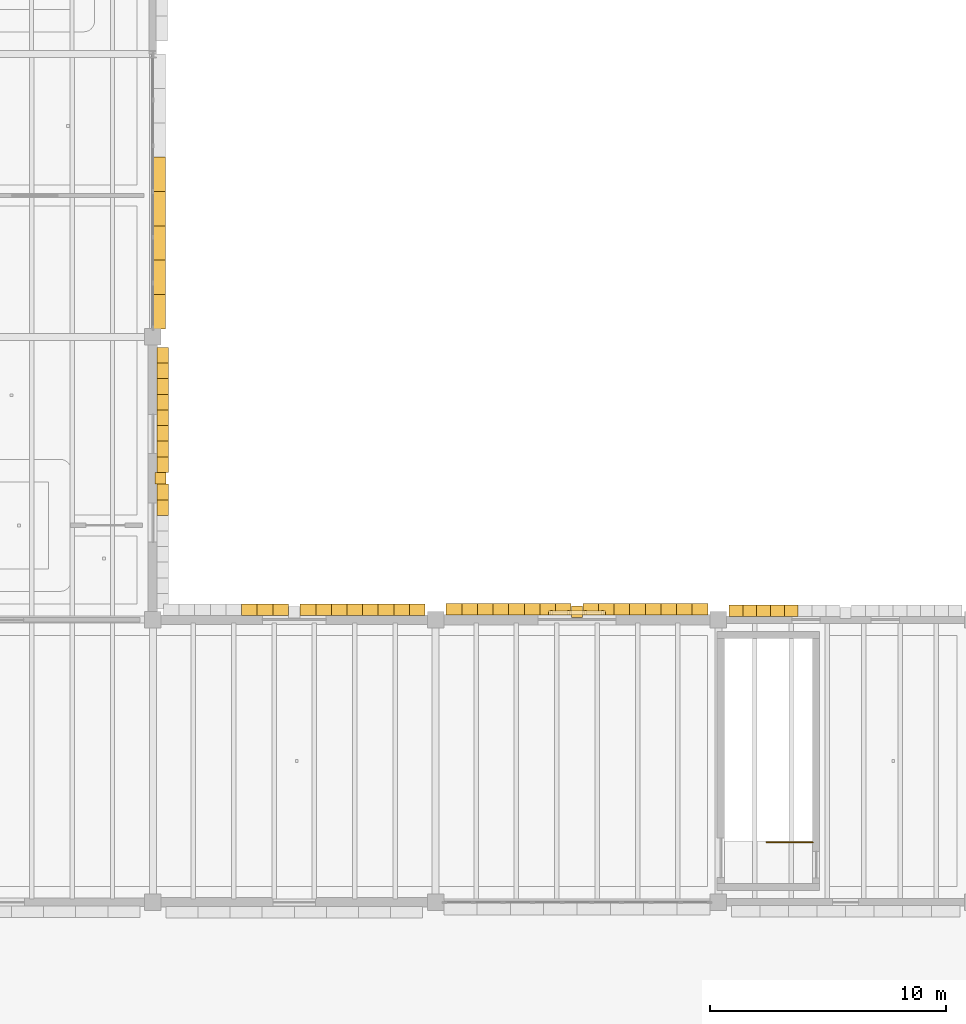
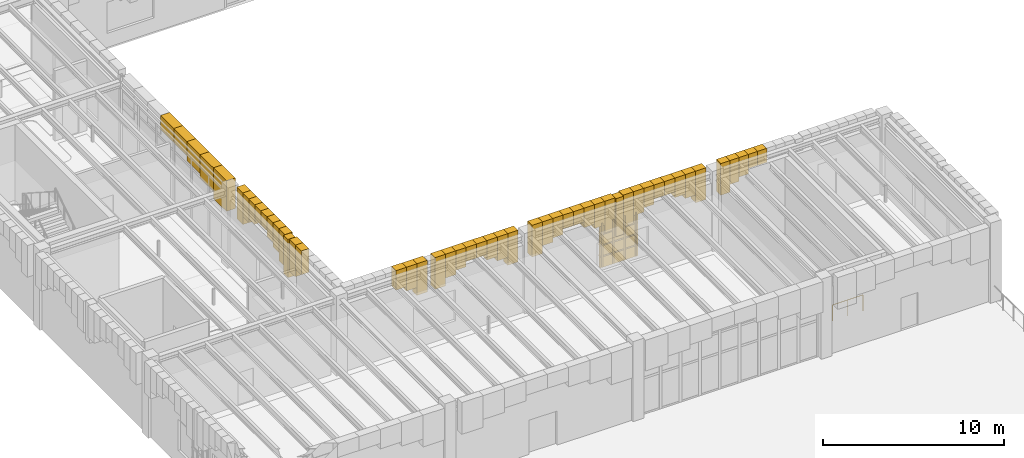
# One storey, part 91 of 100: 56 coverings, 1 railing, 1 shading device.
"""IFC4 building model written with IfcOpenShell, lengths in metres."""

from ifc_helpers import new_model, si_unit, direction, frame, origin, origin_2d, place, context, subcontext, project, spatial, polyline, rectangle, circle, outline, extrude, material, layer, layer_set, type_object, element, save


model = new_model("IFC4")

# Units and contexts
model_context = context("Model", 3, precision=1e-05, world=origin(), true_north=direction((0.0, 1.0)))
body_context = subcontext(model_context, "Body", "Model", "MODEL_VIEW")
ifc_project = project(units=[si_unit("LENGTHUNIT", "METRE"), si_unit("AREAUNIT", "SQUARE_METRE"), si_unit("VOLUMEUNIT", "CUBIC_METRE"), si_unit("PLANEANGLEUNIT", "RADIAN"), si_unit("MASSUNIT", "GRAM", prefix="KILO")], contexts=[model_context])

# Site, building, storey
site_placement = place(None, origin())
site = spatial("IfcSite", under=ifc_project, at=site_placement, CompositionType="ELEMENT")
building_placement = place(site_placement, origin())
building = spatial("IfcBuilding", under=site, at=building_placement, Name="Zlatogorsky Bluff Art Gallery", CompositionType="ELEMENT")
storey_placement = place(building_placement, frame((0.0, 0.0, 5.39990234375)))
storey = spatial("IfcBuildingStorey", under=building, at=storey_placement, Name="L01", CompositionType="ELEMENT", Elevation=5.39990234375)

# Coverings
ifc_material_1 = material(Name="Honed Red Agra-Tone Quartzitic Sandstone", Category="masonry")
ifc_layer = layer(ifc_material_1, 0.1201171875)
ifc_layer_set = layer_set([ifc_layer], Name="Carved Sandstone Cladding CLD-02")
covering_type = type_object("IfcCoveringType", Name="Carved Sandstone Cladding CLD-02", PredefinedType="CLADDING", material=ifc_layer_set)
covering_1_placement = place(storey_placement, frame((0.0, 0.0, 2.780029296875)))
element("IfcCovering", 1, at=covering_1_placement, inside=storey, type_object=covering_type, Name="Mughal blind-arch sandstone pilaster L01.E.10.5", PredefinedType="CLADDING", context=body_context, shape_type="SweptSolid", body=[
    extrude(outline(polyline([(132.080078125, 56.159912109375), (132.56005859375, 56.159912109375), (132.56005859375, 56.639892578125), (132.080078125, 56.639892578125), (132.080078125, 56.159912109375)])), origin(), (0.0, 0.0, 1.0), 2.580078125),
])
covering_2_placement = place(storey_placement, frame((0.0, 0.0, 3.75390625)))
element("IfcCovering", 2, at=covering_2_placement, inside=storey, type_object=covering_type, Name="Pointed Mughal arch voussoir spandrel WARCH-L01-E-10-05-A.7", PredefinedType="CLADDING", context=body_context, shape_type="SweptSolid", body=[
    extrude(outline(polyline([(132.169921875, 54.824951171875), (132.169921875, 55.487548828125), (132.659912109375, 55.487548828125), (132.659912109375, 54.824951171875), (132.169921875, 54.824951171875)])), origin(), (0.0, 0.0, 1.0), 1.606201171875),
])
covering_3_placement = place(storey_placement, frame((0.0, 0.0, 3.222412109375)))
element("IfcCovering", 3, at=covering_3_placement, inside=storey, type_object=covering_type, Name="Pointed Mughal arch voussoir spandrel WARCH-L01-E-10-05-A.8", PredefinedType="CLADDING", context=body_context, shape_type="SweptSolid", body=[
    extrude(outline(polyline([(132.169921875, 55.487548828125), (132.169921875, 56.14990234375), (132.659912109375, 56.14990234375), (132.659912109375, 55.487548828125), (132.169921875, 55.487548828125)])), origin(), (0.0, 0.0, 1.0), 2.1376953125),
])
covering_4_placement = place(storey_placement, frame((0.0, 0.0, 3.222412109375)))
element("IfcCovering", 4, at=covering_4_placement, inside=storey, type_object=covering_type, Name="Pointed Mughal arch voussoir spandrel WARCH-L01-E-10-05-B.1", PredefinedType="CLADDING", context=body_context, shape_type="SweptSolid", body=[
    extrude(outline(polyline([(132.169921875, 56.64990234375), (132.169921875, 57.3125), (132.659912109375, 57.3125), (132.659912109375, 56.64990234375), (132.169921875, 56.64990234375)])), origin(), (0.0, 0.0, 1.0), 2.1376953125),
])
covering_5_placement = place(storey_placement, frame((0.0, 0.0, 3.75390625)))
element("IfcCovering", 5, at=covering_5_placement, inside=storey, type_object=covering_type, Name="Pointed Mughal arch voussoir spandrel WARCH-L01-E-10-05-B.2", PredefinedType="CLADDING", context=body_context, shape_type="SweptSolid", body=[
    extrude(outline(polyline([(132.169921875, 57.3125), (132.169921875, 57.97509765625), (132.659912109375, 57.97509765625), (132.659912109375, 57.3125), (132.169921875, 57.3125)])), origin(), (0.0, 0.0, 1.0), 1.606201171875),
])
covering_6_placement = place(storey_placement, frame((0.0, 0.0, 4.046875)))
element("IfcCovering", 6, at=covering_6_placement, inside=storey, type_object=covering_type, Name="Pointed Mughal arch voussoir spandrel WARCH-L01-E-10-05-B.3", PredefinedType="CLADDING", context=body_context, shape_type="SweptSolid", body=[
    extrude(outline(polyline([(132.169921875, 57.97509765625), (132.169921875, 58.637451171875), (132.659912109375, 58.637451171875), (132.659912109375, 57.97509765625), (132.169921875, 57.97509765625)])), origin(), (0.0, 0.0, 1.0), 1.313232421875),
])
covering_7_placement = place(storey_placement, frame((0.0, 0.0, 4.41552734375)))
element("IfcCovering", 7, at=covering_7_placement, inside=storey, type_object=covering_type, Name="Pointed Mughal arch voussoir spandrel WARCH-L01-E-10-05-B.4", PredefinedType="CLADDING", context=body_context, shape_type="SweptSolid", body=[
    extrude(outline(polyline([(132.169921875, 58.637451171875), (132.169921875, 59.300048828125), (132.659912109375, 59.300048828125), (132.659912109375, 58.637451171875), (132.169921875, 58.637451171875)])), origin(), (0.0, 0.0, 1.0), 0.944580078125),
])
covering_8_placement = place(storey_placement, frame((0.0, 0.0, 4.41552734375)))
element("IfcCovering", 8, at=covering_8_placement, inside=storey, type_object=covering_type, Name="Pointed Mughal arch voussoir spandrel WARCH-L01-E-10-05-B.5", PredefinedType="CLADDING", context=body_context, shape_type="SweptSolid", body=[
    extrude(outline(polyline([(132.169921875, 59.300048828125), (132.169921875, 59.96240234375), (132.659912109375, 59.96240234375), (132.659912109375, 59.300048828125), (132.169921875, 59.300048828125)])), origin(), (0.0, 0.0, 1.0), 0.944580078125),
])
covering_9_placement = place(storey_placement, frame((0.0, 0.0, 4.046875)))
element("IfcCovering", 9, at=covering_9_placement, inside=storey, type_object=covering_type, Name="Pointed Mughal arch voussoir spandrel WARCH-L01-E-10-05-B.6", PredefinedType="CLADDING", context=body_context, shape_type="SweptSolid", body=[
    extrude(outline(polyline([(132.169921875, 59.96240234375), (132.169921875, 60.625), (132.659912109375, 60.625), (132.659912109375, 59.96240234375), (132.169921875, 59.96240234375)])), origin(), (0.0, 0.0, 1.0), 1.313232421875),
])
covering_10_placement = place(storey_placement, frame((0.0, 0.0, 3.75390625)))
element("IfcCovering", 10, at=covering_10_placement, inside=storey, type_object=covering_type, Name="Pointed Mughal arch voussoir spandrel WARCH-L01-E-10-05-B.7", PredefinedType="CLADDING", context=body_context, shape_type="SweptSolid", body=[
    extrude(outline(polyline([(132.169921875, 60.625), (132.169921875, 61.28759765625), (132.659912109375, 61.28759765625), (132.659912109375, 60.625), (132.169921875, 60.625)])), origin(), (0.0, 0.0, 1.0), 1.606201171875),
])
covering_11_placement = place(storey_placement, frame((0.0, 0.0, 3.222412109375)))
element("IfcCovering", 11, at=covering_11_placement, inside=storey, type_object=covering_type, Name="Pointed Mughal arch voussoir spandrel WARCH-L01-E-10-05-B.8", PredefinedType="CLADDING", context=body_context, shape_type="SweptSolid", body=[
    extrude(outline(polyline([(132.169921875, 61.28759765625), (132.169921875, 61.949951171875), (132.659912109375, 61.949951171875), (132.659912109375, 61.28759765625), (132.169921875, 61.28759765625)])), origin(), (0.0, 0.0, 1.0), 2.1376953125),
])
covering_12_placement = place(storey_placement, frame((0.0, 0.0, 3.2978515625)))
element("IfcCovering", 12, at=covering_12_placement, inside=storey, type_object=covering_type, Name="Pointed Mughal arch voussoir spandrel ARCH-CW-L01-E-10-06.1", PredefinedType="CLADDING", context=body_context, shape_type="SweptSolid", body=[
    extrude(outline(polyline([(131.969970703125, 62.7451171875), (131.969970703125, 64.201904296875), (132.5400390625, 64.201904296875), (132.5400390625, 62.7451171875), (131.969970703125, 62.7451171875)])), origin(), (0.0, 0.0, 1.0), 2.062255859375),
])
covering_13_placement = place(storey_placement, frame((0.0, 0.0, 3.7998046875)))
element("IfcCovering", 13, at=covering_13_placement, inside=storey, type_object=covering_type, Name="Pointed Mughal arch voussoir spandrel ARCH-CW-L01-E-10-06.2", PredefinedType="CLADDING", context=body_context, shape_type="SweptSolid", body=[
    extrude(outline(polyline([(131.969970703125, 64.201904296875), (131.969970703125, 65.65869140625), (132.5400390625, 65.65869140625), (132.5400390625, 64.201904296875), (131.969970703125, 64.201904296875)])), origin(), (0.0, 0.0, 1.0), 1.560302734375),
])
covering_14_placement = place(storey_placement, frame((0.0, 0.0, 4.076416015625)))
element("IfcCovering", 14, at=covering_14_placement, inside=storey, type_object=covering_type, Name="Pointed Mughal arch voussoir spandrel ARCH-CW-L01-E-10-06.3", PredefinedType="CLADDING", context=body_context, shape_type="SweptSolid", body=[
    extrude(outline(polyline([(131.969970703125, 65.65869140625), (131.969970703125, 67.115478515625), (132.5400390625, 67.115478515625), (132.5400390625, 65.65869140625), (131.969970703125, 65.65869140625)])), origin(), (0.0, 0.0, 1.0), 1.28369140625),
])
covering_15_placement = place(storey_placement, frame((0.0, 0.0, 4.424560546875)))
element("IfcCovering", 15, at=covering_15_placement, inside=storey, type_object=covering_type, Name="Pointed Mughal arch voussoir spandrel ARCH-CW-L01-E-10-06.4", PredefinedType="CLADDING", context=body_context, shape_type="SweptSolid", body=[
    extrude(outline(polyline([(131.969970703125, 67.115478515625), (131.969970703125, 68.572509765625), (132.5400390625, 68.572509765625), (132.5400390625, 67.115478515625), (131.969970703125, 67.115478515625)])), origin(), (0.0, 0.0, 1.0), 0.935546875),
])
covering_16_placement = place(storey_placement, frame((0.0, 0.0, 4.424560546875)))
element("IfcCovering", 16, at=covering_16_placement, inside=storey, type_object=covering_type, Name="Pointed Mughal arch voussoir spandrel ARCH-CW-L01-E-10-06.5", PredefinedType="CLADDING", context=body_context, shape_type="SweptSolid", body=[
    extrude(outline(polyline([(131.969970703125, 68.572509765625), (131.969970703125, 70.029296875), (132.5400390625, 70.029296875), (132.5400390625, 68.572509765625), (131.969970703125, 68.572509765625)])), origin(), (0.0, 0.0, 1.0), 0.935546875),
])
covering_17_placement = place(storey_placement, frame((0.0, 0.0, 4.046875)))
element("IfcCovering", 17, at=covering_17_placement, inside=storey, type_object=covering_type, Name="Pointed Mughal arch voussoir spandrel WARCH-L01-N-11-04-A.6", PredefinedType="CLADDING", context=body_context, shape_type="SweptSolid", body=[
    extrude(outline(polyline([(135.762451171875, 50.570068359375), (136.425048828125, 50.570068359375), (136.425048828125, 51.06005859375), (135.762451171875, 51.06005859375), (135.762451171875, 50.570068359375)])), origin(), (0.0, 0.0, 1.0), 1.313232421875),
])
covering_18_placement = place(storey_placement, frame((0.0, 0.0, 3.75390625)))
element("IfcCovering", 18, at=covering_18_placement, inside=storey, type_object=covering_type, Name="Pointed Mughal arch voussoir spandrel WARCH-L01-N-11-04-A.7", PredefinedType="CLADDING", context=body_context, shape_type="SweptSolid", body=[
    extrude(outline(polyline([(136.425048828125, 50.570068359375), (137.08740234375, 50.570068359375), (137.08740234375, 51.06005859375), (136.425048828125, 51.06005859375), (136.425048828125, 50.570068359375)])), origin(), (0.0, 0.0, 1.0), 1.606201171875),
])
covering_19_placement = place(storey_placement, frame((0.0, 0.0, 3.222412109375)))
element("IfcCovering", 19, at=covering_19_placement, inside=storey, type_object=covering_type, Name="Pointed Mughal arch voussoir spandrel WARCH-L01-N-11-04-A.8", PredefinedType="CLADDING", context=body_context, shape_type="SweptSolid", body=[
    extrude(outline(polyline([(137.08740234375, 50.570068359375), (137.75, 50.570068359375), (137.75, 51.06005859375), (137.08740234375, 51.06005859375), (137.08740234375, 50.570068359375)])), origin(), (0.0, 0.0, 1.0), 2.1376953125),
])
covering_20_placement = place(storey_placement, frame((0.0, 0.0, 3.222412109375)))
element("IfcCovering", 20, at=covering_20_placement, inside=storey, type_object=covering_type, Name="Pointed Mughal arch voussoir spandrel WARCH-L01-N-11-04-B.1", PredefinedType="CLADDING", context=body_context, shape_type="SweptSolid", body=[
    extrude(outline(polyline([(138.25, 50.570068359375), (138.91259765625, 50.570068359375), (138.91259765625, 51.06005859375), (138.25, 51.06005859375), (138.25, 50.570068359375)])), origin(), (0.0, 0.0, 1.0), 2.1376953125),
])
covering_21_placement = place(storey_placement, frame((0.0, 0.0, 3.75390625)))
element("IfcCovering", 21, at=covering_21_placement, inside=storey, type_object=covering_type, Name="Pointed Mughal arch voussoir spandrel WARCH-L01-N-11-04-B.2", PredefinedType="CLADDING", context=body_context, shape_type="SweptSolid", body=[
    extrude(outline(polyline([(138.91259765625, 50.570068359375), (139.574951171875, 50.570068359375), (139.574951171875, 51.06005859375), (138.91259765625, 51.06005859375), (138.91259765625, 50.570068359375)])), origin(), (0.0, 0.0, 1.0), 1.606201171875),
])
covering_22_placement = place(storey_placement, frame((0.0, 0.0, 4.046875)))
element("IfcCovering", 22, at=covering_22_placement, inside=storey, type_object=covering_type, Name="Pointed Mughal arch voussoir spandrel WARCH-L01-N-11-04-B.3", PredefinedType="CLADDING", context=body_context, shape_type="SweptSolid", body=[
    extrude(outline(polyline([(139.574951171875, 50.570068359375), (140.237548828125, 50.570068359375), (140.237548828125, 51.06005859375), (139.574951171875, 51.06005859375), (139.574951171875, 50.570068359375)])), origin(), (0.0, 0.0, 1.0), 1.313232421875),
])
covering_23_placement = place(storey_placement, frame((0.0, 0.0, 4.41552734375)))
element("IfcCovering", 23, at=covering_23_placement, inside=storey, type_object=covering_type, Name="Pointed Mughal arch voussoir spandrel WARCH-L01-N-11-04-B.4", PredefinedType="CLADDING", context=body_context, shape_type="SweptSolid", body=[
    extrude(outline(polyline([(140.237548828125, 50.570068359375), (140.89990234375, 50.570068359375), (140.89990234375, 51.06005859375), (140.237548828125, 51.06005859375), (140.237548828125, 50.570068359375)])), origin(), (0.0, 0.0, 1.0), 0.944580078125),
])
covering_24_placement = place(storey_placement, frame((0.0, 0.0, 4.41552734375)))
element("IfcCovering", 24, at=covering_24_placement, inside=storey, type_object=covering_type, Name="Pointed Mughal arch voussoir spandrel WARCH-L01-N-11-04-B.5", PredefinedType="CLADDING", context=body_context, shape_type="SweptSolid", body=[
    extrude(outline(polyline([(140.89990234375, 50.570068359375), (141.5625, 50.570068359375), (141.5625, 51.06005859375), (140.89990234375, 51.06005859375), (140.89990234375, 50.570068359375)])), origin(), (0.0, 0.0, 1.0), 0.944580078125),
])
covering_25_placement = place(storey_placement, frame((0.0, 0.0, 4.046875)))
element("IfcCovering", 25, at=covering_25_placement, inside=storey, type_object=covering_type, Name="Pointed Mughal arch voussoir spandrel WARCH-L01-N-11-04-B.6", PredefinedType="CLADDING", context=body_context, shape_type="SweptSolid", body=[
    extrude(outline(polyline([(141.5625, 50.570068359375), (142.22509765625, 50.570068359375), (142.22509765625, 51.06005859375), (141.5625, 51.06005859375), (141.5625, 50.570068359375)])), origin(), (0.0, 0.0, 1.0), 1.313232421875),
])
covering_26_placement = place(storey_placement, frame((0.0, 0.0, 3.75390625)))
element("IfcCovering", 26, at=covering_26_placement, inside=storey, type_object=covering_type, Name="Pointed Mughal arch voussoir spandrel WARCH-L01-N-11-04-B.7", PredefinedType="CLADDING", context=body_context, shape_type="SweptSolid", body=[
    extrude(outline(polyline([(142.22509765625, 50.570068359375), (142.887451171875, 50.570068359375), (142.887451171875, 51.06005859375), (142.22509765625, 51.06005859375), (142.22509765625, 50.570068359375)])), origin(), (0.0, 0.0, 1.0), 1.606201171875),
])
covering_27_placement = place(storey_placement, frame((0.0, 0.0, 3.222412109375)))
element("IfcCovering", 27, at=covering_27_placement, inside=storey, type_object=covering_type, Name="Pointed Mughal arch voussoir spandrel WARCH-L01-N-11-04-B.8", PredefinedType="CLADDING", context=body_context, shape_type="SweptSolid", body=[
    extrude(outline(polyline([(142.887451171875, 50.570068359375), (143.550048828125, 50.570068359375), (143.550048828125, 51.06005859375), (142.887451171875, 51.06005859375), (142.887451171875, 50.570068359375)])), origin(), (0.0, 0.0, 1.0), 2.1376953125),
])
covering_28_placement = place(storey_placement, frame((0.0, 0.0, 2.780029296875)))
element("IfcCovering", 28, at=covering_28_placement, inside=storey, type_object=covering_type, Name="Mughal blind-arch sandstone pilaster L01.N.12.4", PredefinedType="CLADDING", context=body_context, shape_type="SweptSolid", body=[
    extrude(outline(polyline([(149.760009765625, 50.5), (150.239990234375, 50.5), (150.239990234375, 50.97998046875), (149.760009765625, 50.97998046875), (149.760009765625, 50.5)])), origin(), (0.0, 0.0, 1.0), 2.580078125),
])
covering_29_placement = place(storey_placement, frame((0.0, 0.0, 3.222412109375)))
element("IfcCovering", 29, at=covering_29_placement, inside=storey, type_object=covering_type, Name="Pointed Mughal arch voussoir spandrel WARCH-L01-N-12-04-A.1", PredefinedType="CLADDING", context=body_context, shape_type="SweptSolid", body=[
    extrude(outline(polyline([(144.449951171875, 50.590087890625), (145.112548828125, 50.590087890625), (145.112548828125, 51.080078125), (144.449951171875, 51.080078125), (144.449951171875, 50.590087890625)])), origin(), (0.0, 0.0, 1.0), 2.1376953125),
])
covering_30_placement = place(storey_placement, frame((0.0, 0.0, 3.75390625)))
element("IfcCovering", 30, at=covering_30_placement, inside=storey, type_object=covering_type, Name="Pointed Mughal arch voussoir spandrel WARCH-L01-N-12-04-A.2", PredefinedType="CLADDING", context=body_context, shape_type="SweptSolid", body=[
    extrude(outline(polyline([(145.112548828125, 50.590087890625), (145.77490234375, 50.590087890625), (145.77490234375, 51.080078125), (145.112548828125, 51.080078125), (145.112548828125, 50.590087890625)])), origin(), (0.0, 0.0, 1.0), 1.606201171875),
])
covering_31_placement = place(storey_placement, frame((0.0, 0.0, 4.046875)))
element("IfcCovering", 31, at=covering_31_placement, inside=storey, type_object=covering_type, Name="Pointed Mughal arch voussoir spandrel WARCH-L01-N-12-04-A.3", PredefinedType="CLADDING", context=body_context, shape_type="SweptSolid", body=[
    extrude(outline(polyline([(145.77490234375, 50.590087890625), (146.4375, 50.590087890625), (146.4375, 51.080078125), (145.77490234375, 51.080078125), (145.77490234375, 50.590087890625)])), origin(), (0.0, 0.0, 1.0), 1.313232421875),
])
covering_32_placement = place(storey_placement, frame((0.0, 0.0, 4.41552734375)))
element("IfcCovering", 32, at=covering_32_placement, inside=storey, type_object=covering_type, Name="Pointed Mughal arch voussoir spandrel WARCH-L01-N-12-04-A.4", PredefinedType="CLADDING", context=body_context, shape_type="SweptSolid", body=[
    extrude(outline(polyline([(146.4375, 50.590087890625), (147.10009765625, 50.590087890625), (147.10009765625, 51.080078125), (146.4375, 51.080078125), (146.4375, 50.590087890625)])), origin(), (0.0, 0.0, 1.0), 0.944580078125),
])
covering_33_placement = place(storey_placement, frame((0.0, 0.0, 4.41552734375)))
element("IfcCovering", 33, at=covering_33_placement, inside=storey, type_object=covering_type, Name="Pointed Mughal arch voussoir spandrel WARCH-L01-N-12-04-A.5", PredefinedType="CLADDING", context=body_context, shape_type="SweptSolid", body=[
    extrude(outline(polyline([(147.10009765625, 50.590087890625), (147.762451171875, 50.590087890625), (147.762451171875, 51.080078125), (147.10009765625, 51.080078125), (147.10009765625, 50.590087890625)])), origin(), (0.0, 0.0, 1.0), 0.944580078125),
])
covering_34_placement = place(storey_placement, frame((0.0, 0.0, 4.046875)))
element("IfcCovering", 34, at=covering_34_placement, inside=storey, type_object=covering_type, Name="Pointed Mughal arch voussoir spandrel WARCH-L01-N-12-04-A.6", PredefinedType="CLADDING", context=body_context, shape_type="SweptSolid", body=[
    extrude(outline(polyline([(147.762451171875, 50.590087890625), (148.425048828125, 50.590087890625), (148.425048828125, 51.080078125), (147.762451171875, 51.080078125), (147.762451171875, 50.590087890625)])), origin(), (0.0, 0.0, 1.0), 1.313232421875),
])
covering_35_placement = place(storey_placement, frame((0.0, 0.0, 3.75390625)))
element("IfcCovering", 35, at=covering_35_placement, inside=storey, type_object=covering_type, Name="Pointed Mughal arch voussoir spandrel WARCH-L01-N-12-04-A.7", PredefinedType="CLADDING", context=body_context, shape_type="SweptSolid", body=[
    extrude(outline(polyline([(148.425048828125, 50.590087890625), (149.08740234375, 50.590087890625), (149.08740234375, 51.080078125), (148.425048828125, 51.080078125), (148.425048828125, 50.590087890625)])), origin(), (0.0, 0.0, 1.0), 1.606201171875),
])
covering_36_placement = place(storey_placement, frame((0.0, 0.0, 3.222412109375)))
element("IfcCovering", 36, at=covering_36_placement, inside=storey, type_object=covering_type, Name="Pointed Mughal arch voussoir spandrel WARCH-L01-N-12-04-A.8", PredefinedType="CLADDING", context=body_context, shape_type="SweptSolid", body=[
    extrude(outline(polyline([(149.08740234375, 50.590087890625), (149.75, 50.590087890625), (149.75, 51.080078125), (149.08740234375, 51.080078125), (149.08740234375, 50.590087890625)])), origin(), (0.0, 0.0, 1.0), 2.1376953125),
])
covering_37_placement = place(storey_placement, frame((0.0, 0.0, 3.222412109375)))
element("IfcCovering", 37, at=covering_37_placement, inside=storey, type_object=covering_type, Name="Pointed Mughal arch voussoir spandrel WARCH-L01-N-12-04-B.1", PredefinedType="CLADDING", context=body_context, shape_type="SweptSolid", body=[
    extrude(outline(polyline([(150.25, 50.590087890625), (150.91259765625, 50.590087890625), (150.91259765625, 51.080078125), (150.25, 51.080078125), (150.25, 50.590087890625)])), origin(), (0.0, 0.0, 1.0), 2.1376953125),
])
covering_38_placement = place(storey_placement, frame((0.0, 0.0, 3.75390625)))
element("IfcCovering", 38, at=covering_38_placement, inside=storey, type_object=covering_type, Name="Pointed Mughal arch voussoir spandrel WARCH-L01-N-12-04-B.2", PredefinedType="CLADDING", context=body_context, shape_type="SweptSolid", body=[
    extrude(outline(polyline([(150.91259765625, 50.590087890625), (151.574951171875, 50.590087890625), (151.574951171875, 51.080078125), (150.91259765625, 51.080078125), (150.91259765625, 50.590087890625)])), origin(), (0.0, 0.0, 1.0), 1.606201171875),
])
covering_39_placement = place(storey_placement, frame((0.0, 0.0, 4.046875)))
element("IfcCovering", 39, at=covering_39_placement, inside=storey, type_object=covering_type, Name="Pointed Mughal arch voussoir spandrel WARCH-L01-N-12-04-B.3", PredefinedType="CLADDING", context=body_context, shape_type="SweptSolid", body=[
    extrude(outline(polyline([(151.574951171875, 50.590087890625), (152.237548828125, 50.590087890625), (152.237548828125, 51.080078125), (151.574951171875, 51.080078125), (151.574951171875, 50.590087890625)])), origin(), (0.0, 0.0, 1.0), 1.313232421875),
])
covering_40_placement = place(storey_placement, frame((0.0, 0.0, 4.41552734375)))
element("IfcCovering", 40, at=covering_40_placement, inside=storey, type_object=covering_type, Name="Pointed Mughal arch voussoir spandrel WARCH-L01-N-12-04-B.4", PredefinedType="CLADDING", context=body_context, shape_type="SweptSolid", body=[
    extrude(outline(polyline([(152.237548828125, 50.590087890625), (152.89990234375, 50.590087890625), (152.89990234375, 51.080078125), (152.237548828125, 51.080078125), (152.237548828125, 50.590087890625)])), origin(), (0.0, 0.0, 1.0), 0.944580078125),
])
covering_41_placement = place(storey_placement, frame((0.0, 0.0, 4.41552734375)))
element("IfcCovering", 41, at=covering_41_placement, inside=storey, type_object=covering_type, Name="Pointed Mughal arch voussoir spandrel WARCH-L01-N-12-04-B.5", PredefinedType="CLADDING", context=body_context, shape_type="SweptSolid", body=[
    extrude(outline(polyline([(152.89990234375, 50.590087890625), (153.5625, 50.590087890625), (153.5625, 51.080078125), (152.89990234375, 51.080078125), (152.89990234375, 50.590087890625)])), origin(), (0.0, 0.0, 1.0), 0.944580078125),
])
covering_42_placement = place(storey_placement, frame((0.0, 0.0, 4.046875)))
element("IfcCovering", 42, at=covering_42_placement, inside=storey, type_object=covering_type, Name="Pointed Mughal arch voussoir spandrel WARCH-L01-N-12-04-B.6", PredefinedType="CLADDING", context=body_context, shape_type="SweptSolid", body=[
    extrude(outline(polyline([(153.5625, 50.590087890625), (154.22509765625, 50.590087890625), (154.22509765625, 51.080078125), (153.5625, 51.080078125), (153.5625, 50.590087890625)])), origin(), (0.0, 0.0, 1.0), 1.313232421875),
])
covering_43_placement = place(storey_placement, frame((0.0, 0.0, 3.75390625)))
element("IfcCovering", 43, at=covering_43_placement, inside=storey, type_object=covering_type, Name="Pointed Mughal arch voussoir spandrel WARCH-L01-N-12-04-B.7", PredefinedType="CLADDING", context=body_context, shape_type="SweptSolid", body=[
    extrude(outline(polyline([(154.22509765625, 50.590087890625), (154.887451171875, 50.590087890625), (154.887451171875, 51.080078125), (154.22509765625, 51.080078125), (154.22509765625, 50.590087890625)])), origin(), (0.0, 0.0, 1.0), 1.606201171875),
])
covering_44_placement = place(storey_placement, frame((0.0, 0.0, 3.222412109375)))
element("IfcCovering", 44, at=covering_44_placement, inside=storey, type_object=covering_type, Name="Pointed Mughal arch voussoir spandrel WARCH-L01-N-12-04-B.8", PredefinedType="CLADDING", context=body_context, shape_type="SweptSolid", body=[
    extrude(outline(polyline([(154.887451171875, 50.590087890625), (155.550048828125, 50.590087890625), (155.550048828125, 51.080078125), (154.887451171875, 51.080078125), (154.887451171875, 50.590087890625)])), origin(), (0.0, 0.0, 1.0), 2.1376953125),
])
covering_45_placement = place(storey_placement, frame((0.0, 0.0, 0.9501953125)))
element("IfcCovering", 45, at=covering_45_placement, inside=storey, type_object=covering_type, Name="Pierced sandstone jali lattice bar L01.N.12.4", PredefinedType="CLADDING", context=body_context, shape_type="SweptSolid", body=[
    extrude(outline(polyline([(148.875, 50.590087890625), (148.965087890625, 50.590087890625), (148.965087890625, 50.780029296875), (148.875, 50.780029296875), (148.875, 50.590087890625)])), origin(), (0.0, 0.0, 1.0), 3.0),
])
covering_46_placement = place(storey_placement, frame((0.0, 0.0, 0.9501953125)))
element("IfcCovering", 46, at=covering_46_placement, inside=storey, type_object=covering_type, Name="Pierced sandstone jali lattice bar L01.N.12.4", PredefinedType="CLADDING", context=body_context, shape_type="SweptSolid", body=[
    extrude(outline(polyline([(149.594970703125, 50.590087890625), (149.68505859375, 50.590087890625), (149.68505859375, 50.780029296875), (149.594970703125, 50.780029296875), (149.594970703125, 50.590087890625)])), origin(), (0.0, 0.0, 1.0), 3.0),
])
covering_47_placement = place(storey_placement, frame((0.0, 0.0, 0.9501953125)))
element("IfcCovering", 47, at=covering_47_placement, inside=storey, type_object=covering_type, Name="Pierced sandstone jali lattice bar L01.N.12.4", PredefinedType="CLADDING", context=body_context, shape_type="SweptSolid", body=[
    extrude(outline(polyline([(150.31494140625, 50.590087890625), (150.405029296875, 50.590087890625), (150.405029296875, 50.780029296875), (150.31494140625, 50.780029296875), (150.31494140625, 50.590087890625)])), origin(), (0.0, 0.0, 1.0), 3.0),
])
covering_48_placement = place(storey_placement, frame((0.0, 0.0, 0.9501953125)))
element("IfcCovering", 48, at=covering_48_placement, inside=storey, type_object=covering_type, Name="Pierced sandstone jali lattice bar L01.N.12.4", PredefinedType="CLADDING", context=body_context, shape_type="SweptSolid", body=[
    extrude(outline(polyline([(151.034912109375, 50.590087890625), (151.125, 50.590087890625), (151.125, 50.780029296875), (151.034912109375, 50.780029296875), (151.034912109375, 50.590087890625)])), origin(), (0.0, 0.0, 1.0), 3.0),
])
for number, where, name in (
    (49, (0.0, 0.0, 1.66015625), "Pierced sandstone jali lattice transom L01.N.12.4"),
    (50, (0.0, 0.0, 2.41015625), "Pierced sandstone jali lattice transom L01.N.12.4"),
    (51, (0.0, 0.0, 3.16015625), "Pierced sandstone jali lattice transom L01.N.12.4"),
):
    element("IfcCovering", number, at=place(storey_placement, frame(where)), inside=storey, type_object=covering_type, Name=name, PredefinedType="CLADDING", context=body_context, shape_type="SweptSolid", body=[
        extrude(outline(polyline([(148.800048828125, 50.590087890625), (151.199951171875, 50.590087890625), (151.199951171875, 50.780029296875), (148.800048828125, 50.780029296875), (148.800048828125, 50.590087890625)])), origin(), (0.0, 0.0, 1.0), 0.079833984375),
    ])
covering_49_placement = place(storey_placement, frame((0.0, 0.0, 3.222412109375)))
element("IfcCovering", 52, at=covering_49_placement, inside=storey, type_object=covering_type, Name="Pointed Mughal arch voussoir spandrel WARCH-L01-N-13-04-A.1", PredefinedType="CLADDING", context=body_context, shape_type="SweptSolid", body=[
    extrude(outline(polyline([(156.449951171875, 50.530029296875), (157.03759765625, 50.530029296875), (157.03759765625, 51.02001953125), (156.449951171875, 51.02001953125), (156.449951171875, 50.530029296875)])), origin(), (0.0, 0.0, 1.0), 2.1376953125),
])
covering_50_placement = place(storey_placement, frame((0.0, 0.0, 3.75390625)))
element("IfcCovering", 53, at=covering_50_placement, inside=storey, type_object=covering_type, Name="Pointed Mughal arch voussoir spandrel WARCH-L01-N-13-04-A.2", PredefinedType="CLADDING", context=body_context, shape_type="SweptSolid", body=[
    extrude(outline(polyline([(157.03759765625, 50.530029296875), (157.625, 50.530029296875), (157.625, 51.02001953125), (157.03759765625, 51.02001953125), (157.03759765625, 50.530029296875)])), origin(), (0.0, 0.0, 1.0), 1.606201171875),
])
covering_51_placement = place(storey_placement, frame((0.0, 0.0, 4.046875)))
element("IfcCovering", 54, at=covering_51_placement, inside=storey, type_object=covering_type, Name="Pointed Mughal arch voussoir spandrel WARCH-L01-N-13-04-A.3", PredefinedType="CLADDING", context=body_context, shape_type="SweptSolid", body=[
    extrude(outline(polyline([(157.625, 50.530029296875), (158.21240234375, 50.530029296875), (158.21240234375, 51.02001953125), (157.625, 51.02001953125), (157.625, 50.530029296875)])), origin(), (0.0, 0.0, 1.0), 1.313232421875),
])
covering_52_placement = place(storey_placement, frame((0.0, 0.0, 4.41552734375)))
element("IfcCovering", 55, at=covering_52_placement, inside=storey, type_object=covering_type, Name="Pointed Mughal arch voussoir spandrel WARCH-L01-N-13-04-A.4", PredefinedType="CLADDING", context=body_context, shape_type="SweptSolid", body=[
    extrude(outline(polyline([(158.21240234375, 50.530029296875), (158.800048828125, 50.530029296875), (158.800048828125, 51.02001953125), (158.21240234375, 51.02001953125), (158.21240234375, 50.530029296875)])), origin(), (0.0, 0.0, 1.0), 0.944580078125),
])
covering_53_placement = place(storey_placement, frame((0.0, 0.0, 4.41552734375)))
element("IfcCovering", 56, at=covering_53_placement, inside=storey, type_object=covering_type, Name="Pointed Mughal arch voussoir spandrel WARCH-L01-N-13-04-A.5", PredefinedType="CLADDING", context=body_context, shape_type="SweptSolid", body=[
    extrude(outline(polyline([(158.800048828125, 50.530029296875), (159.387451171875, 50.530029296875), (159.387451171875, 51.02001953125), (158.800048828125, 51.02001953125), (158.800048828125, 50.530029296875)])), origin(), (0.0, 0.0, 1.0), 0.944580078125),
])

# Railing
ifc_material_2 = material(Name="Architectural Bronze and Laminated Glass", Category="glass")
railing_type = type_object("IfcRailingType", Name="Gallery Guard Rail 1100mm", PredefinedType="GUARDRAIL", material=ifc_material_2)
railing_placement = place(storey_placement, frame((160.0, 40.949951171875, 0.0)))
element("IfcRailing", 57, at=railing_placement, inside=storey, type_object=railing_type, Name="L01 ST-10 top well guard 1", PredefinedType="GUARDRAIL", context=body_context, shape_type="SweptSolid", body=[
    extrude(circle(Radius=0.02392578125, at=origin_2d()), frame((0.0, 0.0, 1.076171875), z_axis=(-1.0, 0.0, 0.0), x_axis=(0.0, -1.0, 0.0)), (0.0, 0.0, 1.0), 1.949951171875),
    extrude(circle(Radius=0.02099609375, at=origin_2d()), origin(), (0.0, 0.0, 1.0), 1.052001953125),
    extrude(circle(Radius=0.02099609375, at=origin_2d()), frame((-0.97509765625, 0.0, 0.0)), (0.0, 0.0, 1.0), 1.052001953125),
    extrude(circle(Radius=0.02099609375, at=origin_2d()), frame((-1.949951171875, 0.0, 0.0)), (0.0, 0.0, 1.0), 1.052001953125),
])

# Shading device
ifc_material_3 = material(Name="CNC-Pierced Red Quartzitic Sandstone Jali", Category="masonry")
shading_device_type = type_object("IfcShadingDeviceType", Name="Pierced Stone Jali Screen JAL-03", PredefinedType="JALOUSIE", material=ifc_material_3)
shading_device_placement = place(storey_placement, frame((150.0, 50.659912109375, 0.9501953125), z_axis=(0.0, 0.0, 1.0), x_axis=(1.0, 0.0, 0.0)))
element("IfcShadingDevice", 58, at=shading_device_placement, inside=storey, type_object=shading_device_type, Name="Pierced stone jali screen JAL-03", PredefinedType="JALOUSIE", context=body_context, shape_type="SweptSolid", body=[
    extrude(rectangle(XDim=2.39990234375, YDim=0.1201171875, at=origin_2d()), origin(), (0.0, 0.0, 1.0), 3.0),
])

save(model, "model.ifc")
